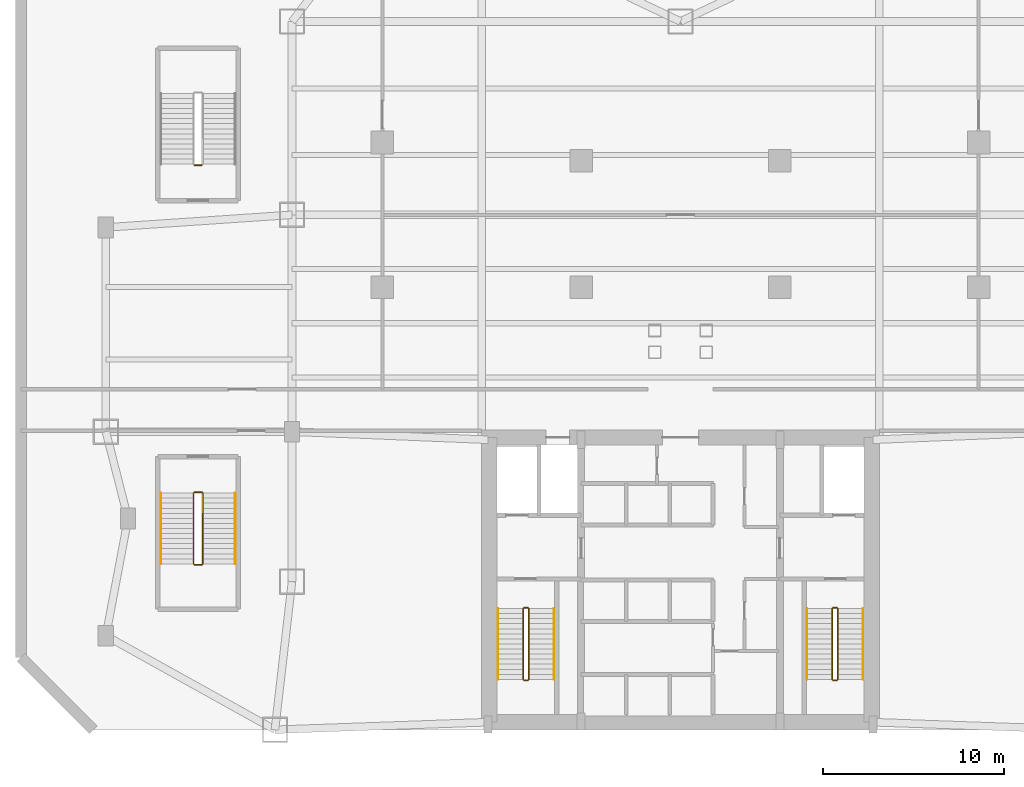
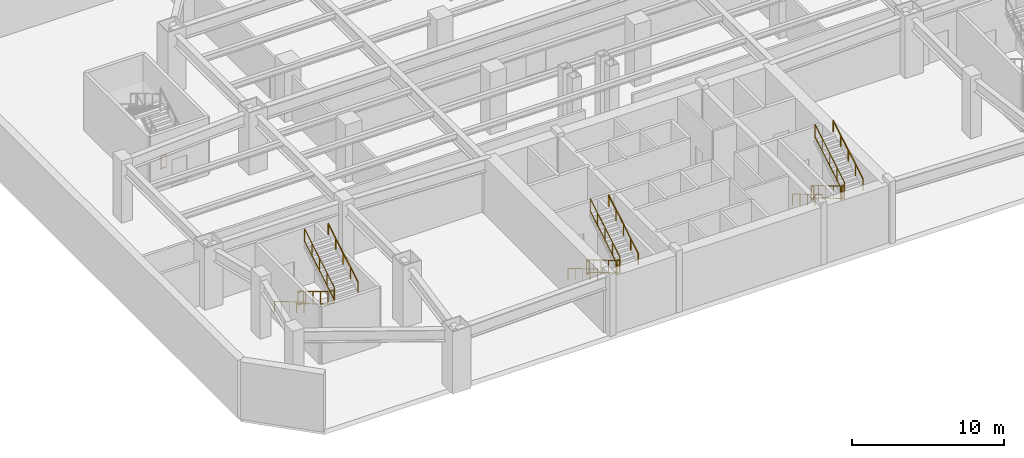
# One storey, part 5 of 6: 19 railings.
"""IFC4 building model written with IfcOpenShell, lengths in metres."""

from ifc_helpers import new_model, si_unit, direction, frame, origin, origin_2d, place, context, subcontext, project, spatial, rectangle, extrude, material, type_object, element, save


model = new_model("IFC4")

# Units and contexts
model_context = context("Model", 3, precision=1e-05, world=origin(), true_north=direction((0.0, 1.0)))
body_context = subcontext(model_context, "Body", "Model", "MODEL_VIEW")
ifc_project = project(units=[si_unit("LENGTHUNIT", "METRE"), si_unit("AREAUNIT", "SQUARE_METRE"), si_unit("VOLUMEUNIT", "CUBIC_METRE"), si_unit("PLANEANGLEUNIT", "RADIAN"), si_unit("MASSUNIT", "GRAM", prefix="KILO")], contexts=[model_context])

# Site, building, storey
site_placement = place(None, origin())
site = spatial("IfcSite", under=ifc_project, at=site_placement, CompositionType="ELEMENT")
building_placement = place(site_placement, origin())
building = spatial("IfcBuilding", under=site, at=building_placement, Name="Varnakhor Terracotta Tower", CompositionType="ELEMENT")
storey_placement = place(building_placement, frame((0.0, 0.0, -5.0)))
storey = spatial("IfcBuildingStorey", under=building, at=storey_placement, Name="B01", CompositionType="ELEMENT", Elevation=-5.0)

# Railings
ifc_material_1 = material(Name="Painted Steel Stairwell Guardrail", Category="steel")
railing_type_1 = type_object("IfcRailingType", Name="RLG-STAIR-GUARD-1120", PredefinedType="GUARDRAIL", material=ifc_material_1)
railing_1_placement = place(storey_placement, frame((-8.699951171875, 6.7099609375, 0.166748046875)))
element("IfcRailing", 1, at=railing_1_placement, inside=storey, type_object=railing_type_1, Name="B01 ST-1 stair guard 1", PredefinedType="GUARDRAIL", context=body_context, shape_type="SweptSolid", body=[
    extrude(rectangle(XDim=0.048095703125, YDim=0.048095703125, at=origin_2d()), frame((0.0, 0.0, 1.09619140625), z_axis=(0.0, -0.859296244711, 0.511478214419), x_axis=(1.0, 0.0, 0.0)), (0.0, 0.0, 1.0), 4.561767578125),
    extrude(rectangle(XDim=0.048095703125, YDim=0.048095703125, at=origin_2d()), frame((0.0, 0.0, 0.10009765625), z_axis=(0.0, -0.859296244711, 0.511478214419), x_axis=(1.0, 0.0, 0.0)), (0.0, 0.0, 1.0), 4.561767578125),
    extrude(rectangle(XDim=0.0419921875, YDim=0.0419921875, at=origin_2d()), origin(), (0.0, 0.0, 1.0), 1.072021484375),
    extrude(rectangle(XDim=0.0419921875, YDim=0.0419921875, at=origin_2d()), frame((0.0, -0.97998046875, 0.583251953125)), (0.0, 0.0, 1.0), 1.072021484375),
    extrude(rectangle(XDim=0.0419921875, YDim=0.0419921875, at=origin_2d()), frame((0.0, -1.9599609375, 1.16650390625)), (0.0, 0.0, 1.0), 1.072021484375),
    extrude(rectangle(XDim=0.0419921875, YDim=0.0419921875, at=origin_2d()), frame((0.0, -2.93994140625, 1.75)), (0.0, 0.0, 1.0), 1.072021484375),
    extrude(rectangle(XDim=0.0419921875, YDim=0.0419921875, at=origin_2d()), frame((0.0, -3.919921875, 2.333251953125)), (0.0, 0.0, 1.0), 1.072021484375),
])
railing_2_placement = place(storey_placement, frame((-8.64990234375, 2.739990234375, 2.5)))
element("IfcRailing", 2, at=railing_2_placement, inside=storey, type_object=railing_type_1, Name="B01 ST-1 stair guard 2", PredefinedType="GUARDRAIL", context=body_context, shape_type="SweptSolid", body=[
    extrude(rectangle(XDim=0.048095703125, YDim=0.048095703125, at=origin_2d()), frame((0.0, 0.0, 1.09619140625), z_axis=(1.0, 0.0, 0.0), x_axis=(0.0, 1.0, 0.0)), (0.0, 0.0, 1.0), 0.199951171875),
    extrude(rectangle(XDim=0.048095703125, YDim=0.048095703125, at=origin_2d()), frame((0.0, 0.0, 0.10009765625), z_axis=(1.0, 0.0, 0.0), x_axis=(0.0, 1.0, 0.0)), (0.0, 0.0, 1.0), 0.199951171875),
    extrude(rectangle(XDim=0.0419921875, YDim=0.0419921875, at=origin_2d()), origin(), (0.0, 0.0, 1.0), 1.072021484375),
    extrude(rectangle(XDim=0.0419921875, YDim=0.0419921875, at=origin_2d()), frame((0.199951171875, 0.0, 0.0)), (0.0, 0.0, 1.0), 1.072021484375),
])
railing_3_placement = place(storey_placement, frame((-8.39990234375, 2.7900390625, 2.666748046875)))
element("IfcRailing", 3, at=railing_3_placement, inside=storey, type_object=railing_type_1, Name="B01 ST-1 stair guard 3", PredefinedType="GUARDRAIL", context=body_context, shape_type="SweptSolid", body=[
    extrude(rectangle(XDim=0.048095703125, YDim=0.048095703125, at=origin_2d()), frame((0.0, 0.0, 1.09619140625), z_axis=(0.0, 0.859296244711, 0.511478214419), x_axis=(-1.0, 0.0, 0.0)), (0.0, 0.0, 1.0), 4.561767578125),
    extrude(rectangle(XDim=0.048095703125, YDim=0.048095703125, at=origin_2d()), frame((0.0, 0.0, 0.10009765625), z_axis=(0.0, 0.859296244711, 0.511478214419), x_axis=(-1.0, 0.0, 0.0)), (0.0, 0.0, 1.0), 4.561767578125),
    extrude(rectangle(XDim=0.0419921875, YDim=0.0419921875, at=origin_2d()), origin(), (0.0, 0.0, 1.0), 1.072021484375),
    extrude(rectangle(XDim=0.0419921875, YDim=0.0419921875, at=origin_2d()), frame((0.0, 0.97998046875, 0.583251953125)), (0.0, 0.0, 1.0), 1.072021484375),
    extrude(rectangle(XDim=0.0419921875, YDim=0.0419921875, at=origin_2d()), frame((0.0, 1.9599609375, 1.16650390625)), (0.0, 0.0, 1.0), 1.072021484375),
    extrude(rectangle(XDim=0.0419921875, YDim=0.0419921875, at=origin_2d()), frame((0.0, 2.93994140625, 1.75)), (0.0, 0.0, 1.0), 1.072021484375),
    extrude(rectangle(XDim=0.0419921875, YDim=0.0419921875, at=origin_2d()), frame((0.0, 3.919921875, 2.333251953125)), (0.0, 0.0, 1.0), 1.072021484375),
])
railing_4_placement = place(storey_placement, frame((-8.64990234375, 6.760009765625, 0.0)))
element("IfcRailing", 4, at=railing_4_placement, inside=storey, type_object=railing_type_1, Name="B01 ST-1 stair guard 4", PredefinedType="GUARDRAIL", context=body_context, shape_type="SweptSolid", body=[
    extrude(rectangle(XDim=0.048095703125, YDim=0.048095703125, at=origin_2d()), frame((0.0, 0.0, 1.09619140625), z_axis=(1.0, 0.0, 0.0), x_axis=(0.0, 1.0, 0.0)), (0.0, 0.0, 1.0), 0.199951171875),
    extrude(rectangle(XDim=0.048095703125, YDim=0.048095703125, at=origin_2d()), frame((0.0, 0.0, 0.10009765625), z_axis=(1.0, 0.0, 0.0), x_axis=(0.0, 1.0, 0.0)), (0.0, 0.0, 1.0), 0.199951171875),
    extrude(rectangle(XDim=0.0419921875, YDim=0.0419921875, at=origin_2d()), origin(), (0.0, 0.0, 1.0), 1.072021484375),
    extrude(rectangle(XDim=0.0419921875, YDim=0.0419921875, at=origin_2d()), frame((0.199951171875, 0.0, 0.0)), (0.0, 0.0, 1.0), 1.072021484375),
])
railing_5_placement = place(storey_placement, frame((8.39990234375, 6.7099609375, 0.166748046875)))
element("IfcRailing", 5, at=railing_5_placement, inside=storey, type_object=railing_type_1, Name="B01 ST-2 stair guard 1", PredefinedType="GUARDRAIL", context=body_context, shape_type="SweptSolid", body=[
    extrude(rectangle(XDim=0.048095703125, YDim=0.048095703125, at=origin_2d()), frame((0.0, 0.0, 1.09619140625), z_axis=(0.0, -0.859296244711, 0.511478214419), x_axis=(1.0, 0.0, 0.0)), (0.0, 0.0, 1.0), 4.561767578125),
    extrude(rectangle(XDim=0.048095703125, YDim=0.048095703125, at=origin_2d()), frame((0.0, 0.0, 0.10009765625), z_axis=(0.0, -0.859296244711, 0.511478214419), x_axis=(1.0, 0.0, 0.0)), (0.0, 0.0, 1.0), 4.561767578125),
    extrude(rectangle(XDim=0.0419921875, YDim=0.0419921875, at=origin_2d()), origin(), (0.0, 0.0, 1.0), 1.072021484375),
    extrude(rectangle(XDim=0.0419921875, YDim=0.0419921875, at=origin_2d()), frame((0.0, -0.97998046875, 0.583251953125)), (0.0, 0.0, 1.0), 1.072021484375),
    extrude(rectangle(XDim=0.0419921875, YDim=0.0419921875, at=origin_2d()), frame((0.0, -1.9599609375, 1.16650390625)), (0.0, 0.0, 1.0), 1.072021484375),
    extrude(rectangle(XDim=0.0419921875, YDim=0.0419921875, at=origin_2d()), frame((0.0, -2.93994140625, 1.75)), (0.0, 0.0, 1.0), 1.072021484375),
    extrude(rectangle(XDim=0.0419921875, YDim=0.0419921875, at=origin_2d()), frame((0.0, -3.919921875, 2.333251953125)), (0.0, 0.0, 1.0), 1.072021484375),
])
railing_6_placement = place(storey_placement, frame((8.449951171875, 2.739990234375, 2.5)))
element("IfcRailing", 6, at=railing_6_placement, inside=storey, type_object=railing_type_1, Name="B01 ST-2 stair guard 2", PredefinedType="GUARDRAIL", context=body_context, shape_type="SweptSolid", body=[
    extrude(rectangle(XDim=0.048095703125, YDim=0.048095703125, at=origin_2d()), frame((0.0, 0.0, 1.09619140625), z_axis=(1.0, 0.0, 0.0), x_axis=(0.0, 1.0, 0.0)), (0.0, 0.0, 1.0), 0.199951171875),
    extrude(rectangle(XDim=0.048095703125, YDim=0.048095703125, at=origin_2d()), frame((0.0, 0.0, 0.10009765625), z_axis=(1.0, 0.0, 0.0), x_axis=(0.0, 1.0, 0.0)), (0.0, 0.0, 1.0), 0.199951171875),
    extrude(rectangle(XDim=0.0419921875, YDim=0.0419921875, at=origin_2d()), origin(), (0.0, 0.0, 1.0), 1.072021484375),
    extrude(rectangle(XDim=0.0419921875, YDim=0.0419921875, at=origin_2d()), frame((0.199951171875, 0.0, 0.0)), (0.0, 0.0, 1.0), 1.072021484375),
])
railing_7_placement = place(storey_placement, frame((8.699951171875, 2.7900390625, 2.666748046875)))
element("IfcRailing", 7, at=railing_7_placement, inside=storey, type_object=railing_type_1, Name="B01 ST-2 stair guard 3", PredefinedType="GUARDRAIL", context=body_context, shape_type="SweptSolid", body=[
    extrude(rectangle(XDim=0.048095703125, YDim=0.048095703125, at=origin_2d()), frame((0.0, 0.0, 1.09619140625), z_axis=(0.0, 0.859296244711, 0.511478214419), x_axis=(-1.0, 0.0, 0.0)), (0.0, 0.0, 1.0), 4.561767578125),
    extrude(rectangle(XDim=0.048095703125, YDim=0.048095703125, at=origin_2d()), frame((0.0, 0.0, 0.10009765625), z_axis=(0.0, 0.859296244711, 0.511478214419), x_axis=(-1.0, 0.0, 0.0)), (0.0, 0.0, 1.0), 4.561767578125),
    extrude(rectangle(XDim=0.0419921875, YDim=0.0419921875, at=origin_2d()), origin(), (0.0, 0.0, 1.0), 1.072021484375),
    extrude(rectangle(XDim=0.0419921875, YDim=0.0419921875, at=origin_2d()), frame((0.0, 0.97998046875, 0.583251953125)), (0.0, 0.0, 1.0), 1.072021484375),
    extrude(rectangle(XDim=0.0419921875, YDim=0.0419921875, at=origin_2d()), frame((0.0, 1.9599609375, 1.16650390625)), (0.0, 0.0, 1.0), 1.072021484375),
    extrude(rectangle(XDim=0.0419921875, YDim=0.0419921875, at=origin_2d()), frame((0.0, 2.93994140625, 1.75)), (0.0, 0.0, 1.0), 1.072021484375),
    extrude(rectangle(XDim=0.0419921875, YDim=0.0419921875, at=origin_2d()), frame((0.0, 3.919921875, 2.333251953125)), (0.0, 0.0, 1.0), 1.072021484375),
])
railing_8_placement = place(storey_placement, frame((8.449951171875, 6.760009765625, 0.0)))
element("IfcRailing", 8, at=railing_8_placement, inside=storey, type_object=railing_type_1, Name="B01 ST-2 stair guard 4", PredefinedType="GUARDRAIL", context=body_context, shape_type="SweptSolid", body=[
    extrude(rectangle(XDim=0.048095703125, YDim=0.048095703125, at=origin_2d()), frame((0.0, 0.0, 1.09619140625), z_axis=(1.0, 0.0, 0.0), x_axis=(0.0, 1.0, 0.0)), (0.0, 0.0, 1.0), 0.199951171875),
    extrude(rectangle(XDim=0.048095703125, YDim=0.048095703125, at=origin_2d()), frame((0.0, 0.0, 0.10009765625), z_axis=(1.0, 0.0, 0.0), x_axis=(0.0, 1.0, 0.0)), (0.0, 0.0, 1.0), 0.199951171875),
    extrude(rectangle(XDim=0.0419921875, YDim=0.0419921875, at=origin_2d()), origin(), (0.0, 0.0, 1.0), 1.072021484375),
    extrude(rectangle(XDim=0.0419921875, YDim=0.0419921875, at=origin_2d()), frame((0.199951171875, 0.0, 0.0)), (0.0, 0.0, 1.0), 1.072021484375),
])
railing_9_placement = place(storey_placement, frame((-26.949951171875, 13.10009765625, 0.166748046875)))
element("IfcRailing", 9, at=railing_9_placement, inside=storey, type_object=railing_type_1, Name="B01 ST-P1 stair guard 1", PredefinedType="GUARDRAIL", context=body_context, shape_type="SweptSolid", body=[
    extrude(rectangle(XDim=0.048095703125, YDim=0.048095703125, at=origin_2d()), frame((0.0, 0.0, 1.09619140625), z_axis=(0.0, -0.859310244771, 0.511454693235), x_axis=(1.0, 0.0, 0.0)), (0.0, 0.0, 1.0), 4.56201171875),
    extrude(rectangle(XDim=0.048095703125, YDim=0.048095703125, at=origin_2d()), frame((0.0, 0.0, 0.10009765625), z_axis=(0.0, -0.859310244771, 0.511454693235), x_axis=(1.0, 0.0, 0.0)), (0.0, 0.0, 1.0), 4.56201171875),
    extrude(rectangle(XDim=0.0419921875, YDim=0.0419921875, at=origin_2d()), origin(), (0.0, 0.0, 1.0), 1.072021484375),
    extrude(rectangle(XDim=0.0419921875, YDim=0.0419921875, at=origin_2d()), frame((0.0, -0.97998046875, 0.583251953125)), (0.0, 0.0, 1.0), 1.072021484375),
    extrude(rectangle(XDim=0.0419921875, YDim=0.0419921875, at=origin_2d()), frame((0.0, -1.9599609375, 1.16650390625)), (0.0, 0.0, 1.0), 1.072021484375),
    extrude(rectangle(XDim=0.0419921875, YDim=0.0419921875, at=origin_2d()), frame((0.0, -2.940185546875, 1.75)), (0.0, 0.0, 1.0), 1.072021484375),
    extrude(rectangle(XDim=0.0419921875, YDim=0.0419921875, at=origin_2d()), frame((0.0, -3.920166015625, 2.333251953125)), (0.0, 0.0, 1.0), 1.072021484375),
])
railing_10_placement = place(storey_placement, frame((-26.89990234375, 9.1298828125, 2.5)))
element("IfcRailing", 10, at=railing_10_placement, inside=storey, type_object=railing_type_1, Name="B01 ST-P1 stair guard 2", PredefinedType="GUARDRAIL", context=body_context, shape_type="SweptSolid", body=[
    extrude(rectangle(XDim=0.048095703125, YDim=0.048095703125, at=origin_2d()), frame((0.0, 0.0, 1.09619140625), z_axis=(1.0, 0.0, 0.0), x_axis=(0.0, 1.0, 0.0)), (0.0, 0.0, 1.0), 0.39990234375),
    extrude(rectangle(XDim=0.048095703125, YDim=0.048095703125, at=origin_2d()), frame((0.0, 0.0, 0.10009765625), z_axis=(1.0, 0.0, 0.0), x_axis=(0.0, 1.0, 0.0)), (0.0, 0.0, 1.0), 0.39990234375),
    extrude(rectangle(XDim=0.0419921875, YDim=0.0419921875, at=origin_2d()), origin(), (0.0, 0.0, 1.0), 1.072021484375),
    extrude(rectangle(XDim=0.0419921875, YDim=0.0419921875, at=origin_2d()), frame((0.39990234375, 0.0, 0.0)), (0.0, 0.0, 1.0), 1.072021484375),
])
railing_11_placement = place(storey_placement, frame((-26.449951171875, 9.179931640625, 2.666748046875)))
element("IfcRailing", 11, at=railing_11_placement, inside=storey, type_object=railing_type_1, Name="B01 ST-P1 stair guard 3", PredefinedType="GUARDRAIL", context=body_context, shape_type="SweptSolid", body=[
    extrude(rectangle(XDim=0.048095703125, YDim=0.048095703125, at=origin_2d()), frame((0.0, 0.0, 1.09619140625), z_axis=(0.0, 0.859310244771, 0.511454693235), x_axis=(-1.0, 0.0, 0.0)), (0.0, 0.0, 1.0), 4.56201171875),
    extrude(rectangle(XDim=0.048095703125, YDim=0.048095703125, at=origin_2d()), frame((0.0, 0.0, 0.10009765625), z_axis=(0.0, 0.859310244771, 0.511454693235), x_axis=(-1.0, 0.0, 0.0)), (0.0, 0.0, 1.0), 4.56201171875),
    extrude(rectangle(XDim=0.0419921875, YDim=0.0419921875, at=origin_2d()), origin(), (0.0, 0.0, 1.0), 1.072021484375),
    extrude(rectangle(XDim=0.0419921875, YDim=0.0419921875, at=origin_2d()), frame((0.0, 0.97998046875, 0.583251953125)), (0.0, 0.0, 1.0), 1.072021484375),
    extrude(rectangle(XDim=0.0419921875, YDim=0.0419921875, at=origin_2d()), frame((0.0, 1.9599609375, 1.16650390625)), (0.0, 0.0, 1.0), 1.072021484375),
    extrude(rectangle(XDim=0.0419921875, YDim=0.0419921875, at=origin_2d()), frame((0.0, 2.940185546875, 1.75)), (0.0, 0.0, 1.0), 1.072021484375),
    extrude(rectangle(XDim=0.0419921875, YDim=0.0419921875, at=origin_2d()), frame((0.0, 3.920166015625, 2.333251953125)), (0.0, 0.0, 1.0), 1.072021484375),
])
railing_12_placement = place(storey_placement, frame((-26.89990234375, 13.14990234375, 0.0)))
element("IfcRailing", 12, at=railing_12_placement, inside=storey, type_object=railing_type_1, Name="B01 ST-P1 stair guard 4", PredefinedType="GUARDRAIL", context=body_context, shape_type="SweptSolid", body=[
    extrude(rectangle(XDim=0.048095703125, YDim=0.048095703125, at=origin_2d()), frame((0.0, 0.0, 1.09619140625), z_axis=(1.0, 0.0, 0.0), x_axis=(0.0, 1.0, 0.0)), (0.0, 0.0, 1.0), 0.39990234375),
    extrude(rectangle(XDim=0.048095703125, YDim=0.048095703125, at=origin_2d()), frame((0.0, 0.0, 0.10009765625), z_axis=(1.0, 0.0, 0.0), x_axis=(0.0, 1.0, 0.0)), (0.0, 0.0, 1.0), 0.39990234375),
    extrude(rectangle(XDim=0.0419921875, YDim=0.0419921875, at=origin_2d()), origin(), (0.0, 0.0, 1.0), 1.072021484375),
    extrude(rectangle(XDim=0.0419921875, YDim=0.0419921875, at=origin_2d()), frame((0.39990234375, 0.0, 0.0)), (0.0, 0.0, 1.0), 1.072021484375),
])
railing_13_placement = place(storey_placement, frame((-26.5, 31.25, 0.0)))
element("IfcRailing", 13, at=railing_13_placement, inside=storey, type_object=railing_type_1, Name="B01 ST-P3 stair guard 4", PredefinedType="GUARDRAIL", context=body_context, shape_type="SweptSolid", body=[
    extrude(rectangle(XDim=0.048095703125, YDim=0.048095703125, at=origin_2d()), frame((0.0, 0.0, 1.09619140625), z_axis=(-1.0, 0.0, 0.0), x_axis=(0.0, -1.0, 0.0)), (0.0, 0.0, 1.0), 0.39990234375),
    extrude(rectangle(XDim=0.048095703125, YDim=0.048095703125, at=origin_2d()), frame((0.0, 0.0, 0.10009765625), z_axis=(-1.0, 0.0, 0.0), x_axis=(0.0, -1.0, 0.0)), (0.0, 0.0, 1.0), 0.39990234375),
    extrude(rectangle(XDim=0.0419921875, YDim=0.0419921875, at=origin_2d()), origin(), (0.0, 0.0, 1.0), 1.072021484375),
    extrude(rectangle(XDim=0.0419921875, YDim=0.0419921875, at=origin_2d()), frame((-0.39990234375, 0.0, 0.0)), (0.0, 0.0, 1.0), 1.072021484375),
])
ifc_material_2 = material(Name="Brushed Stainless Steel Handrail", Category="steel")
railing_type_2 = type_object("IfcRailingType", Name="RLG-STAIR-HANDRAIL-920", PredefinedType="HANDRAIL", material=ifc_material_2)
railing_14_placement = place(storey_placement, frame((-10.10009765625, 6.7099609375, 0.166748046875)))
element("IfcRailing", 14, at=railing_14_placement, inside=storey, type_object=railing_type_2, Name="B01 ST-1 stair handrail 1", PredefinedType="HANDRAIL", context=body_context, shape_type="SweptSolid", body=[
    extrude(rectangle(XDim=0.048095703125, YDim=0.048095703125, at=origin_2d()), frame((0.0, 0.0, 0.89599609375), z_axis=(0.0, -0.859296244711, 0.511478214419), x_axis=(1.0, 0.0, 0.0)), (0.0, 0.0, 1.0), 4.561767578125),
    extrude(rectangle(XDim=0.0419921875, YDim=0.0419921875, at=origin_2d()), origin(), (0.0, 0.0, 1.0), 0.871826171875),
    extrude(rectangle(XDim=0.0419921875, YDim=0.0419921875, at=origin_2d()), frame((0.0, -0.97998046875, 0.583251953125)), (0.0, 0.0, 1.0), 0.871826171875),
    extrude(rectangle(XDim=0.0419921875, YDim=0.0419921875, at=origin_2d()), frame((0.0, -1.9599609375, 1.16650390625)), (0.0, 0.0, 1.0), 0.871826171875),
    extrude(rectangle(XDim=0.0419921875, YDim=0.0419921875, at=origin_2d()), frame((0.0, -2.93994140625, 1.75)), (0.0, 0.0, 1.0), 0.871826171875),
    extrude(rectangle(XDim=0.0419921875, YDim=0.0419921875, at=origin_2d()), frame((0.0, -3.919921875, 2.333251953125)), (0.0, 0.0, 1.0), 0.871826171875),
])
railing_15_placement = place(storey_placement, frame((-7.0, 2.7900390625, 2.666748046875)))
element("IfcRailing", 15, at=railing_15_placement, inside=storey, type_object=railing_type_2, Name="B01 ST-1 stair handrail 2", PredefinedType="HANDRAIL", context=body_context, shape_type="SweptSolid", body=[
    extrude(rectangle(XDim=0.048095703125, YDim=0.048095703125, at=origin_2d()), frame((0.0, 0.0, 0.89599609375), z_axis=(0.0, 0.859296244711, 0.511478214419), x_axis=(-1.0, 0.0, 0.0)), (0.0, 0.0, 1.0), 4.561767578125),
    extrude(rectangle(XDim=0.0419921875, YDim=0.0419921875, at=origin_2d()), origin(), (0.0, 0.0, 1.0), 0.871826171875),
    extrude(rectangle(XDim=0.0419921875, YDim=0.0419921875, at=origin_2d()), frame((0.0, 0.97998046875, 0.583251953125)), (0.0, 0.0, 1.0), 0.871826171875),
    extrude(rectangle(XDim=0.0419921875, YDim=0.0419921875, at=origin_2d()), frame((0.0, 1.9599609375, 1.16650390625)), (0.0, 0.0, 1.0), 0.871826171875),
    extrude(rectangle(XDim=0.0419921875, YDim=0.0419921875, at=origin_2d()), frame((0.0, 2.93994140625, 1.75)), (0.0, 0.0, 1.0), 0.871826171875),
    extrude(rectangle(XDim=0.0419921875, YDim=0.0419921875, at=origin_2d()), frame((0.0, 3.919921875, 2.333251953125)), (0.0, 0.0, 1.0), 0.871826171875),
])
railing_16_placement = place(storey_placement, frame((7.0, 6.7099609375, 0.166748046875)))
element("IfcRailing", 16, at=railing_16_placement, inside=storey, type_object=railing_type_2, Name="B01 ST-2 stair handrail 1", PredefinedType="HANDRAIL", context=body_context, shape_type="SweptSolid", body=[
    extrude(rectangle(XDim=0.048095703125, YDim=0.048095703125, at=origin_2d()), frame((0.0, 0.0, 0.89599609375), z_axis=(0.0, -0.859296244711, 0.511478214419), x_axis=(1.0, 0.0, 0.0)), (0.0, 0.0, 1.0), 4.561767578125),
    extrude(rectangle(XDim=0.0419921875, YDim=0.0419921875, at=origin_2d()), origin(), (0.0, 0.0, 1.0), 0.871826171875),
    extrude(rectangle(XDim=0.0419921875, YDim=0.0419921875, at=origin_2d()), frame((0.0, -0.97998046875, 0.583251953125)), (0.0, 0.0, 1.0), 0.871826171875),
    extrude(rectangle(XDim=0.0419921875, YDim=0.0419921875, at=origin_2d()), frame((0.0, -1.9599609375, 1.16650390625)), (0.0, 0.0, 1.0), 0.871826171875),
    extrude(rectangle(XDim=0.0419921875, YDim=0.0419921875, at=origin_2d()), frame((0.0, -2.93994140625, 1.75)), (0.0, 0.0, 1.0), 0.871826171875),
    extrude(rectangle(XDim=0.0419921875, YDim=0.0419921875, at=origin_2d()), frame((0.0, -3.919921875, 2.333251953125)), (0.0, 0.0, 1.0), 0.871826171875),
])
railing_17_placement = place(storey_placement, frame((10.10009765625, 2.7900390625, 2.666748046875)))
element("IfcRailing", 17, at=railing_17_placement, inside=storey, type_object=railing_type_2, Name="B01 ST-2 stair handrail 2", PredefinedType="HANDRAIL", context=body_context, shape_type="SweptSolid", body=[
    extrude(rectangle(XDim=0.048095703125, YDim=0.048095703125, at=origin_2d()), frame((0.0, 0.0, 0.89599609375), z_axis=(0.0, 0.859296244711, 0.511478214419), x_axis=(-1.0, 0.0, 0.0)), (0.0, 0.0, 1.0), 4.561767578125),
    extrude(rectangle(XDim=0.0419921875, YDim=0.0419921875, at=origin_2d()), origin(), (0.0, 0.0, 1.0), 0.871826171875),
    extrude(rectangle(XDim=0.0419921875, YDim=0.0419921875, at=origin_2d()), frame((0.0, 0.97998046875, 0.583251953125)), (0.0, 0.0, 1.0), 0.871826171875),
    extrude(rectangle(XDim=0.0419921875, YDim=0.0419921875, at=origin_2d()), frame((0.0, 1.9599609375, 1.16650390625)), (0.0, 0.0, 1.0), 0.871826171875),
    extrude(rectangle(XDim=0.0419921875, YDim=0.0419921875, at=origin_2d()), frame((0.0, 2.93994140625, 1.75)), (0.0, 0.0, 1.0), 0.871826171875),
    extrude(rectangle(XDim=0.0419921875, YDim=0.0419921875, at=origin_2d()), frame((0.0, 3.919921875, 2.333251953125)), (0.0, 0.0, 1.0), 0.871826171875),
])
railing_18_placement = place(storey_placement, frame((-28.75, 13.10009765625, 0.166748046875)))
element("IfcRailing", 18, at=railing_18_placement, inside=storey, type_object=railing_type_2, Name="B01 ST-P1 stair handrail 1", PredefinedType="HANDRAIL", context=body_context, shape_type="SweptSolid", body=[
    extrude(rectangle(XDim=0.048095703125, YDim=0.048095703125, at=origin_2d()), frame((0.0, 0.0, 0.89599609375), z_axis=(0.0, -0.859310244771, 0.511454693235), x_axis=(1.0, 0.0, 0.0)), (0.0, 0.0, 1.0), 4.56201171875),
    extrude(rectangle(XDim=0.0419921875, YDim=0.0419921875, at=origin_2d()), origin(), (0.0, 0.0, 1.0), 0.871826171875),
    extrude(rectangle(XDim=0.0419921875, YDim=0.0419921875, at=origin_2d()), frame((0.0, -0.97998046875, 0.583251953125)), (0.0, 0.0, 1.0), 0.871826171875),
    extrude(rectangle(XDim=0.0419921875, YDim=0.0419921875, at=origin_2d()), frame((0.0, -1.9599609375, 1.16650390625)), (0.0, 0.0, 1.0), 0.871826171875),
    extrude(rectangle(XDim=0.0419921875, YDim=0.0419921875, at=origin_2d()), frame((0.0, -2.940185546875, 1.75)), (0.0, 0.0, 1.0), 0.871826171875),
    extrude(rectangle(XDim=0.0419921875, YDim=0.0419921875, at=origin_2d()), frame((0.0, -3.920166015625, 2.333251953125)), (0.0, 0.0, 1.0), 0.871826171875),
])
railing_19_placement = place(storey_placement, frame((-24.64990234375, 9.179931640625, 2.666748046875)))
element("IfcRailing", 19, at=railing_19_placement, inside=storey, type_object=railing_type_2, Name="B01 ST-P1 stair handrail 2", PredefinedType="HANDRAIL", context=body_context, shape_type="SweptSolid", body=[
    extrude(rectangle(XDim=0.048095703125, YDim=0.048095703125, at=origin_2d()), frame((0.0, 0.0, 0.89599609375), z_axis=(0.0, 0.859310244771, 0.511454693235), x_axis=(-1.0, 0.0, 0.0)), (0.0, 0.0, 1.0), 4.56201171875),
    extrude(rectangle(XDim=0.0419921875, YDim=0.0419921875, at=origin_2d()), origin(), (0.0, 0.0, 1.0), 0.871826171875),
    extrude(rectangle(XDim=0.0419921875, YDim=0.0419921875, at=origin_2d()), frame((0.0, 0.97998046875, 0.583251953125)), (0.0, 0.0, 1.0), 0.871826171875),
    extrude(rectangle(XDim=0.0419921875, YDim=0.0419921875, at=origin_2d()), frame((0.0, 1.9599609375, 1.16650390625)), (0.0, 0.0, 1.0), 0.871826171875),
    extrude(rectangle(XDim=0.0419921875, YDim=0.0419921875, at=origin_2d()), frame((0.0, 2.940185546875, 1.75)), (0.0, 0.0, 1.0), 0.871826171875),
    extrude(rectangle(XDim=0.0419921875, YDim=0.0419921875, at=origin_2d()), frame((0.0, 3.920166015625, 2.333251953125)), (0.0, 0.0, 1.0), 0.871826171875),
])

save(model, "model.ifc")
